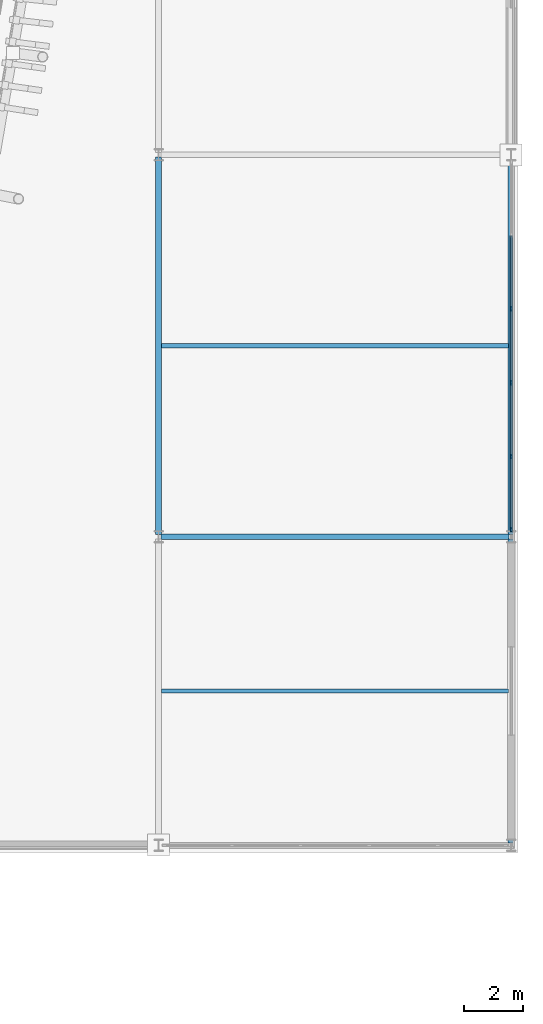
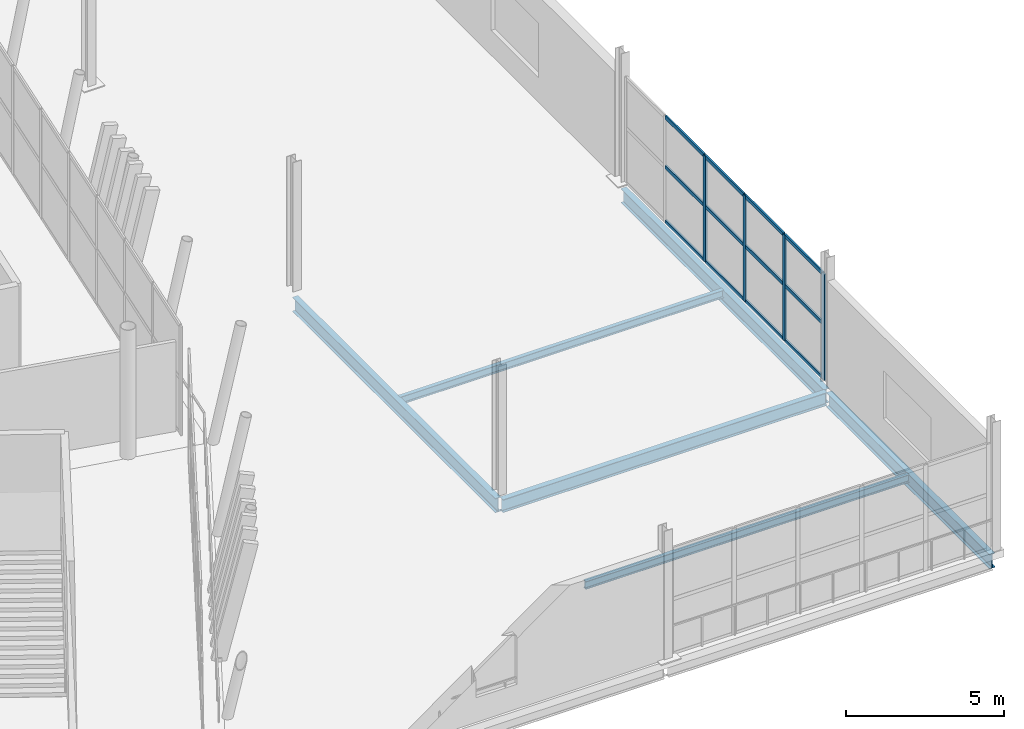
# One storey, part 62 of 179: 16 members, 6 beams, 1 element without a shape of its own.
"""IFC4 building model written with IfcOpenShell, lengths in metres."""

from ifc_helpers import new_model, si_unit, direction, frame, origin, origin_2d, place, context, subcontext, project, spatial, rectangle, i_section, extrude, material, material_profile, profile_set, type_object, element, aggregate, save


model = new_model("IFC4")

# Units and contexts
model_context = context("Model", 3, precision=1e-05, world=origin(), true_north=direction((0.0, 1.0)))
body_context = subcontext(model_context, "Body", "Model", "MODEL_VIEW")
ifc_project = project(units=[si_unit("LENGTHUNIT", "METRE"), si_unit("AREAUNIT", "SQUARE_METRE"), si_unit("VOLUMEUNIT", "CUBIC_METRE"), si_unit("PLANEANGLEUNIT", "RADIAN"), si_unit("MASSUNIT", "GRAM", prefix="KILO")], contexts=[model_context])

# Site, building, storey
site_placement = place(None, origin())
site = spatial("IfcSite", under=ifc_project, at=site_placement, CompositionType="ELEMENT")
building_placement = place(site_placement, origin())
building = spatial("IfcBuilding", under=site, at=building_placement, Name="Zlatoyarsky Gate Stadium", CompositionType="ELEMENT")
storey_placement = place(building_placement, frame((0.0, 0.0, 10.60009765625)))
storey = spatial("IfcBuildingStorey", under=building, at=storey_placement, Name="L02", CompositionType="ELEMENT", Elevation=10.60009765625)

# Curtain wall, members
ifc_material_1 = material(Name="Thermally broken anodised aluminium curtain wall", Category="aluminium")
curtain_wall_type = type_object("IfcCurtainWallType", Name="WINTER GARDEN CONSERVATORY GLAZING", PredefinedType="USERDEFINED", material=ifc_material_1)
curtain_wall_placement = place(storey_placement, origin())
curtain_wall = element("IfcCurtainWall", 1, at=curtain_wall_placement, inside=storey, type_object=curtain_wall_type, Name="Curtain wall CW-V5_EAST-L02-183", ObjectType="UNITISED GLAZING", PredefinedType="USERDEFINED")
ifc_material_2 = material(Name="Anodised aluminium 6063-T6", Category="aluminium")
ifc_material_profile_1 = material_profile(ifc_material_2, rectangle(XDim=0.06494140625, YDim=0.159912109375, at=origin_2d()), Name="ALU 65X160")
ifc_profile_set_1 = profile_set([ifc_material_profile_1], Name="Anodised aluminium 6063-T6")
member_type_1 = type_object("IfcMemberType", Name="ALUMINIUM MULLION 65X160", PredefinedType="MULLION", material=ifc_profile_set_1)
member_1_placement = place(storey_placement, frame((222.0, 54.244384765625, 0.0), z_axis=(0.0, 0.0, 1.0), x_axis=(-1.0, 0.0, 0.0)))
member_1 = element("IfcMember", 2, at=member_1_placement, type_object=member_type_1, Name="CW-WG1 mullion 1", PredefinedType="MULLION", context=body_context, shape_type="SweptSolid", body=[
    extrude(rectangle(XDim=0.06494140625, YDim=0.159912109375, at=origin_2d()), origin(), (0.0, 0.0, 1.0), 4.099853515625),
])
member_2_placement = place(storey_placement, frame((222.0, 56.727294921875, 0.0), z_axis=(0.0, 0.0, 1.0), x_axis=(-1.0, 0.0, 0.0)))
member_2 = element("IfcMember", 3, at=member_2_placement, type_object=member_type_1, Name="CW-WG1 mullion 2", PredefinedType="MULLION", context=body_context, shape_type="SweptSolid", body=[
    extrude(rectangle(XDim=0.06494140625, YDim=0.159912109375, at=origin_2d()), origin(), (0.0, 0.0, 1.0), 4.099853515625),
])
member_3_placement = place(storey_placement, frame((222.0, 59.242431640625, 0.0), z_axis=(0.0, 0.0, 1.0), x_axis=(-1.0, 0.0, 0.0)))
member_3 = element("IfcMember", 4, at=member_3_placement, type_object=member_type_1, Name="CW-WG1 mullion 3", PredefinedType="MULLION", context=body_context, shape_type="SweptSolid", body=[
    extrude(rectangle(XDim=0.06494140625, YDim=0.159912109375, at=origin_2d()), origin(), (0.0, 0.0, 1.0), 4.099853515625),
])
member_4_placement = place(storey_placement, frame((222.0, 61.757568359375, 0.0), z_axis=(0.0, 0.0, 1.0), x_axis=(-1.0, 0.0, 0.0)))
member_4 = element("IfcMember", 5, at=member_4_placement, type_object=member_type_1, Name="CW-WG1 mullion 4", PredefinedType="MULLION", context=body_context, shape_type="SweptSolid", body=[
    extrude(rectangle(XDim=0.06494140625, YDim=0.159912109375, at=origin_2d()), origin(), (0.0, 0.0, 1.0), 4.099853515625),
])
ifc_material_profile_2 = material_profile(ifc_material_2, rectangle(XDim=0.06494140625, YDim=0.139892578125, at=origin_2d()), Name="ALU 65X140")
ifc_profile_set_2 = profile_set([ifc_material_profile_2], Name="Anodised aluminium 6063-T6")
member_type_2 = type_object("IfcMemberType", Name="ALUMINIUM TRANSOM 65X140", PredefinedType="USERDEFINED", material=ifc_profile_set_2)
member_5_placement = place(storey_placement, frame((222.0, 54.277099609375, 0.032470703125), z_axis=(0.0, 1.0, 0.0), x_axis=(-1.0, 0.0, 0.0)))
member_5 = element("IfcMember", 6, at=member_5_placement, type_object=member_type_2, Name="CW-WG1 transom 1.1", ObjectType="TRANSOM", PredefinedType="USERDEFINED", context=body_context, shape_type="SweptSolid", body=[
    extrude(rectangle(XDim=0.06494140625, YDim=0.139892578125, at=origin_2d()), origin(), (0.0, 0.0, 1.0), 2.41748046875),
])
member_6_placement = place(storey_placement, frame((222.0, 54.277099609375, 2.14990234375), z_axis=(0.0, 1.0, 0.0), x_axis=(-1.0, 0.0, 0.0)))
member_6 = element("IfcMember", 7, at=member_6_placement, type_object=member_type_2, Name="CW-WG1 transom 1.2", ObjectType="TRANSOM", PredefinedType="USERDEFINED", context=body_context, shape_type="SweptSolid", body=[
    extrude(rectangle(XDim=0.06494140625, YDim=0.139892578125, at=origin_2d()), origin(), (0.0, 0.0, 1.0), 2.41748046875),
])
member_7_placement = place(storey_placement, frame((222.0, 54.277099609375, 4.0673828125), z_axis=(0.0, 1.0, 0.0), x_axis=(-1.0, 0.0, 0.0)))
member_7 = element("IfcMember", 8, at=member_7_placement, type_object=member_type_2, Name="CW-WG1 transom 1.3", ObjectType="TRANSOM", PredefinedType="USERDEFINED", context=body_context, shape_type="SweptSolid", body=[
    extrude(rectangle(XDim=0.06494140625, YDim=0.139892578125, at=origin_2d()), origin(), (0.0, 0.0, 1.0), 2.41748046875),
])
member_8_placement = place(storey_placement, frame((222.0, 56.759765625, 0.032470703125), z_axis=(0.0, 1.0, 0.0), x_axis=(-1.0, 0.0, 0.0)))
member_8 = element("IfcMember", 9, at=member_8_placement, type_object=member_type_2, Name="CW-WG1 transom 2.1", ObjectType="TRANSOM", PredefinedType="USERDEFINED", context=body_context, shape_type="SweptSolid", body=[
    extrude(rectangle(XDim=0.06494140625, YDim=0.139892578125, at=origin_2d()), origin(), (0.0, 0.0, 1.0), 2.4501953125),
])
member_9_placement = place(storey_placement, frame((222.0, 56.759765625, 2.14990234375), z_axis=(0.0, 1.0, 0.0), x_axis=(-1.0, 0.0, 0.0)))
member_9 = element("IfcMember", 10, at=member_9_placement, type_object=member_type_2, Name="CW-WG1 transom 2.2", ObjectType="TRANSOM", PredefinedType="USERDEFINED", context=body_context, shape_type="SweptSolid", body=[
    extrude(rectangle(XDim=0.06494140625, YDim=0.139892578125, at=origin_2d()), origin(), (0.0, 0.0, 1.0), 2.4501953125),
])
member_10_placement = place(storey_placement, frame((222.0, 56.759765625, 4.0673828125), z_axis=(0.0, 1.0, 0.0), x_axis=(-1.0, 0.0, 0.0)))
member_10 = element("IfcMember", 11, at=member_10_placement, type_object=member_type_2, Name="CW-WG1 transom 2.3", ObjectType="TRANSOM", PredefinedType="USERDEFINED", context=body_context, shape_type="SweptSolid", body=[
    extrude(rectangle(XDim=0.06494140625, YDim=0.139892578125, at=origin_2d()), origin(), (0.0, 0.0, 1.0), 2.4501953125),
])
member_11_placement = place(storey_placement, frame((222.0, 59.27490234375, 0.032470703125), z_axis=(0.0, 1.0, 0.0), x_axis=(-1.0, 0.0, 0.0)))
member_11 = element("IfcMember", 12, at=member_11_placement, type_object=member_type_2, Name="CW-WG1 transom 3.1", ObjectType="TRANSOM", PredefinedType="USERDEFINED", context=body_context, shape_type="SweptSolid", body=[
    extrude(rectangle(XDim=0.06494140625, YDim=0.139892578125, at=origin_2d()), origin(), (0.0, 0.0, 1.0), 2.4501953125),
])
member_12_placement = place(storey_placement, frame((222.0, 59.27490234375, 2.14990234375), z_axis=(0.0, 1.0, 0.0), x_axis=(-1.0, 0.0, 0.0)))
member_12 = element("IfcMember", 13, at=member_12_placement, type_object=member_type_2, Name="CW-WG1 transom 3.2", ObjectType="TRANSOM", PredefinedType="USERDEFINED", context=body_context, shape_type="SweptSolid", body=[
    extrude(rectangle(XDim=0.06494140625, YDim=0.139892578125, at=origin_2d()), origin(), (0.0, 0.0, 1.0), 2.4501953125),
])
member_13_placement = place(storey_placement, frame((222.0, 59.27490234375, 4.0673828125), z_axis=(0.0, 1.0, 0.0), x_axis=(-1.0, 0.0, 0.0)))
member_13 = element("IfcMember", 14, at=member_13_placement, type_object=member_type_2, Name="CW-WG1 transom 3.3", ObjectType="TRANSOM", PredefinedType="USERDEFINED", context=body_context, shape_type="SweptSolid", body=[
    extrude(rectangle(XDim=0.06494140625, YDim=0.139892578125, at=origin_2d()), origin(), (0.0, 0.0, 1.0), 2.4501953125),
])
member_14_placement = place(storey_placement, frame((222.0, 61.7900390625, 0.032470703125), z_axis=(0.0, 1.0, 0.0), x_axis=(-1.0, 0.0, 0.0)))
member_14 = element("IfcMember", 15, at=member_14_placement, type_object=member_type_2, Name="CW-WG1 transom 4.1", ObjectType="TRANSOM", PredefinedType="USERDEFINED", context=body_context, shape_type="SweptSolid", body=[
    extrude(rectangle(XDim=0.06494140625, YDim=0.139892578125, at=origin_2d()), origin(), (0.0, 0.0, 1.0), 2.4501953125),
])
member_15_placement = place(storey_placement, frame((222.0, 61.7900390625, 2.14990234375), z_axis=(0.0, 1.0, 0.0), x_axis=(-1.0, 0.0, 0.0)))
member_15 = element("IfcMember", 16, at=member_15_placement, type_object=member_type_2, Name="CW-WG1 transom 4.2", ObjectType="TRANSOM", PredefinedType="USERDEFINED", context=body_context, shape_type="SweptSolid", body=[
    extrude(rectangle(XDim=0.06494140625, YDim=0.139892578125, at=origin_2d()), origin(), (0.0, 0.0, 1.0), 2.4501953125),
])
member_16_placement = place(storey_placement, frame((222.0, 61.7900390625, 4.0673828125), z_axis=(0.0, 1.0, 0.0), x_axis=(-1.0, 0.0, 0.0)))
member_16 = element("IfcMember", 17, at=member_16_placement, type_object=member_type_2, Name="CW-WG1 transom 4.3", ObjectType="TRANSOM", PredefinedType="USERDEFINED", context=body_context, shape_type="SweptSolid", body=[
    extrude(rectangle(XDim=0.06494140625, YDim=0.139892578125, at=origin_2d()), origin(), (0.0, 0.0, 1.0), 2.4501953125),
])
aggregate(curtain_wall, [member_1, member_2, member_3, member_4, member_5, member_6, member_7, member_8, member_9, member_10, member_11, member_12, member_13, member_14, member_15, member_16])

# Beams
ifc_material_3 = material(Name="Steel S355", Category="steel")
ifc_material_profile_3 = material_profile(ifc_material_3, i_section(OverallWidth=0.199951171875, OverallDepth=0.5, WebThickness=0.01025390625, FlangeThickness=0.01611328125, FilletRadius=0.02099609375, at=origin_2d()), Name="IPE 500")
ifc_profile_set_3 = profile_set([ifc_material_profile_3], Name="Steel S355")
beam_type_1 = type_object("IfcBeamType", Name="STEEL FLOOR BEAM IPE 500", PredefinedType="BEAM", material=ifc_profile_set_3)
beam_1_placement = place(storey_placement, frame((210.080078125, 54.0, -0.530029296875), z_axis=(1.0, 0.0, 0.0), x_axis=(0.0, 1.0, 0.0)))
element("IfcBeam", 18, at=beam_1_placement, inside=storey, type_object=beam_type_1, Name="Beam B-IPE500 BM-L02-WGX-18-F", PredefinedType="BEAM", context=body_context, shape_type="SweptSolid", body=[
    extrude(i_section(OverallWidth=0.199951171875, OverallDepth=0.5, WebThickness=0.01025390625, FlangeThickness=0.01611328125, FilletRadius=0.02099609375, at=origin_2d()), origin(), (0.0, 0.0, 1.0), 11.83984375),
])
ifc_material_profile_4 = material_profile(ifc_material_3, i_section(OverallWidth=0.2099609375, OverallDepth=0.550048828125, WebThickness=0.010986328125, FlangeThickness=0.01708984375, FilletRadius=0.02392578125, at=origin_2d()), Name="IPE 550")
ifc_profile_set_4 = profile_set([ifc_material_profile_4], Name="Steel S355")
beam_type_2 = type_object("IfcBeamType", Name="STEEL FLOOR BEAM IPE 550", PredefinedType="BEAM", material=ifc_profile_set_4)
beam_2_placement = place(storey_placement, frame((210.0, 54.080078125, -0.55517578125), z_axis=(0.0, 1.0, 0.0), x_axis=(-1.0, 0.0, 0.0)))
element("IfcBeam", 19, at=beam_2_placement, inside=storey, type_object=beam_type_2, Name="Beam B-IPE550 BM-L02-WGY-18-F", PredefinedType="BEAM", context=body_context, shape_type="SweptSolid", body=[
    extrude(i_section(OverallWidth=0.2099609375, OverallDepth=0.550048828125, WebThickness=0.010986328125, FlangeThickness=0.01708984375, FilletRadius=0.02392578125, at=origin_2d()), origin(), (0.0, 0.0, 1.0), 12.83984375),
])
beam_3_placement = place(storey_placement, frame((222.0, 43.580078125, -0.55517578125), z_axis=(0.0, 1.0, 0.0), x_axis=(-1.0, 0.0, 0.0)))
element("IfcBeam", 20, at=beam_3_placement, inside=storey, type_object=beam_type_2, Name="Beam B-IPE550 BM-L02-WGY-19-E", PredefinedType="BEAM", context=body_context, shape_type="SweptSolid", body=[
    extrude(i_section(OverallWidth=0.2099609375, OverallDepth=0.550048828125, WebThickness=0.010986328125, FlangeThickness=0.01708984375, FilletRadius=0.02392578125, at=origin_2d()), origin(), (0.0, 0.0, 1.0), 10.33984375),
])
beam_4_placement = place(storey_placement, frame((222.0, 54.080078125, -0.55517578125), z_axis=(0.0, 1.0, 0.0), x_axis=(-1.0, 0.0, 0.0)))
element("IfcBeam", 21, at=beam_4_placement, inside=storey, type_object=beam_type_2, Name="Beam B-IPE550 BM-L02-WGY-19-F", PredefinedType="BEAM", context=body_context, shape_type="SweptSolid", body=[
    extrude(i_section(OverallWidth=0.2099609375, OverallDepth=0.550048828125, WebThickness=0.010986328125, FlangeThickness=0.01708984375, FilletRadius=0.02392578125, at=origin_2d()), origin(), (0.0, 0.0, 1.0), 12.83984375),
])
ifc_material_profile_5 = material_profile(ifc_material_3, i_section(OverallWidth=0.14990234375, OverallDepth=0.300048828125, WebThickness=0.007080078125, FlangeThickness=0.0107421875, FilletRadius=0.014892578125, at=origin_2d()), Name="IPE 300")
ifc_profile_set_5 = profile_set([ifc_material_profile_5], Name="Steel S355")
beam_type_3 = type_object("IfcBeamType", Name="STEEL SECONDARY JOIST IPE 300", PredefinedType="JOIST", material=ifc_profile_set_5)
for number, where, z_axis, x_axis, name in (
    (22, (210.090087890625, 48.75, -0.43017578125), (1.0, 0.0, 0.0), (0.0, 1.0, 0.0), "Beam J-IPE300 JST-L02-18-E"),
    (23, (210.090087890625, 60.5, -0.43017578125), (1.0, 0.0, 0.0), (0.0, 1.0, 0.0), "Beam J-IPE300 JST-L02-18-F"),
):
    element("IfcBeam", number, at=place(storey_placement, frame(where, z_axis=z_axis, x_axis=x_axis)), inside=storey, type_object=beam_type_3, Name=name, PredefinedType="JOIST", context=body_context, shape_type="SweptSolid", body=[
        extrude(i_section(OverallWidth=0.14990234375, OverallDepth=0.300048828125, WebThickness=0.007080078125, FlangeThickness=0.0107421875, FilletRadius=0.014892578125, at=origin_2d()), origin(), (0.0, 0.0, 1.0), 11.81982421875),
    ])

save(model, "model.ifc")
